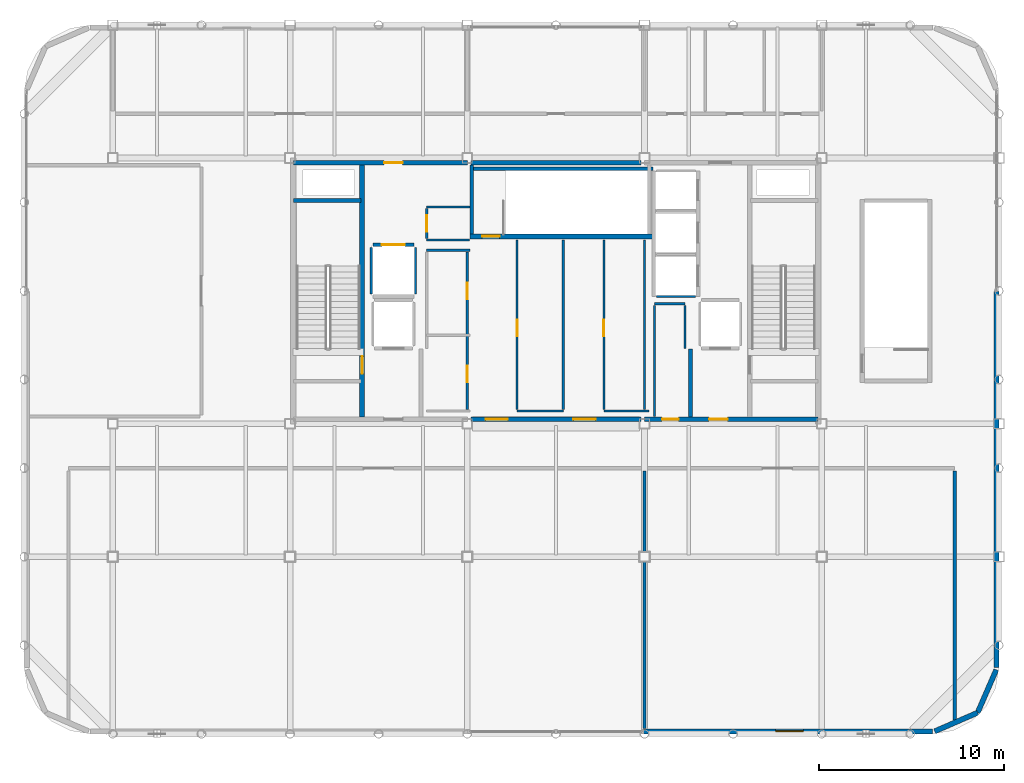
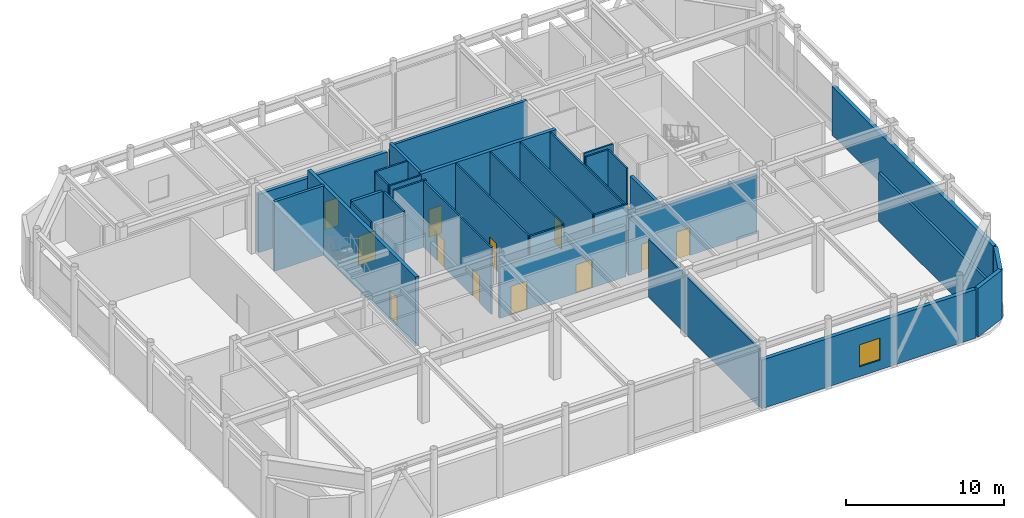
# One storey, part 17 of 21: 34 walls, 13 doors, 1 window, 14 openings.
"""IFC4 building model written with IfcOpenShell, lengths in metres."""

from ifc_helpers import new_model, si_unit, direction, frame, frame_2d, origin, place, context, subcontext, project, spatial, rectangle, extrude, material, layer, layer_set, type_object, element, fill, save


model = new_model("IFC4")

# Units and contexts
model_context = context("Model", 3, precision=1e-05, world=origin(), true_north=direction((0.0, 1.0)))
body_context = subcontext(model_context, "Body", "Model", "MODEL_VIEW")
ifc_project = project(units=[si_unit("LENGTHUNIT", "METRE"), si_unit("AREAUNIT", "SQUARE_METRE"), si_unit("VOLUMEUNIT", "CUBIC_METRE"), si_unit("PLANEANGLEUNIT", "RADIAN"), si_unit("MASSUNIT", "GRAM", prefix="KILO")], contexts=[model_context])

# Site, building, storey
site_placement = place(None, origin())
site = spatial("IfcSite", under=ifc_project, at=site_placement, CompositionType="ELEMENT")
building_placement = place(site_placement, origin())
building = spatial("IfcBuilding", under=site, at=building_placement, Name="Kallvorn Hotel Tower", CompositionType="ELEMENT")
storey_placement = place(building_placement, frame((0.0, 0.0, 300.60009765625)))
storey = spatial("IfcBuildingStorey", under=building, at=storey_placement, Name="L74", CompositionType="ELEMENT", Elevation=300.60009765625)

# Walls
ifc_material_1 = material(Name="Fire-rated double-layer acoustic gypsum drywall EI 60")
ifc_layer_1 = layer(ifc_material_1, 0.179931640625)
ifc_layer_set_1 = layer_set([ifc_layer_1], Name="WL_CORR_180")
wall_type_1 = type_object("IfcWallType", Name="WL_CORR_180", PredefinedType="PARTITIONING", material=ifc_layer_set_1)
wall_1_placement = place(storey_placement, frame((4.800048828125, -23.7099609375, 0.0), z_axis=(0.0, 0.0, 1.0), x_axis=(0.0, 1.0, 0.0)))
element("IfcWall", 1, at=wall_1_placement, inside=storey, type_object=wall_type_1, Name="L74 Bogota Heritage Exhibition Hall Partition", PredefinedType="PARTITIONING", context=body_context, shape_type="SweptSolid", body=[
    extrude(rectangle(XDim=13.9599609375, YDim=0.179931640625, at=frame_2d((6.97998046875, 0.0))), origin(), (0.0, 0.0, 1.0), 4.510009765625),
])
wall_2_placement = place(storey_placement, frame((21.60009765625, -23.238525390625, 0.0), z_axis=(0.0, 0.0, 1.0), x_axis=(0.0, 1.0, 0.0)))
element("IfcWall", 2, at=wall_2_placement, inside=storey, type_object=wall_type_1, Name="L74 Bogota Heritage Exhibition Hall Partition", PredefinedType="PARTITIONING", context=body_context, shape_type="SweptSolid", body=[
    extrude(rectangle(XDim=13.488525390625, YDim=0.179931640625, at=frame_2d((6.744140625, 0.0))), origin(), (0.0, 0.0, 1.0), 3.760009765625),
])
ifc_material_2 = material(Name="Precast basalt-clad insulated concrete wall C40/50", Category="masonry")
ifc_layer_2 = layer(ifc_material_2, 0.280029296875)
ifc_layer_set_2 = layer_set([ifc_layer_2], Name="WL_EXT_LOGGIA_280")
wall_type_2 = type_object("IfcWallType", Name="WL_EXT_LOGGIA_280", PredefinedType="SOLIDWALL", material=ifc_layer_set_2)
for number, where, z_axis, x_axis, name in (
    (3, (20.520751953125, -23.85791015625, 0.0), (0.0, 0.0, 1.0), (0.917076177656, 0.398712031894, 0.0), "L74 Rounded Corner Exterior Wall SE1"),
    (4, (22.8466796875, -22.8466796875, 0.0), (0.0, 0.0, 1.0), (0.398712031894, 0.917076177656, 0.0), "L74 Rounded Corner Exterior Wall SE2"),
):
    element("IfcWall", number, at=place(storey_placement, frame(where, z_axis=z_axis, x_axis=x_axis)), inside=storey, type_object=wall_type_2, Name=name, PredefinedType="SOLIDWALL", context=body_context, shape_type="SweptSolid", body=[
        extrude(rectangle(XDim=2.5361328125, YDim=0.280029296875, at=frame_2d((1.26806640625, 0.0))), origin(), (0.0, 0.0, 1.0), 3.760009765625),
    ])

# Wall, opening, window
wall_3_placement = place(storey_placement, frame((4.75, -23.860107421875, 0.0), z_axis=(0.0, 0.0, 1.0), x_axis=(1.0, 0.0, 0.0)))
wall_3 = element("IfcWall", 5, at=wall_3_placement, inside=storey, type_object=wall_type_2, Name="L74 Exterior Envelope Wall EW-L74-SE", PredefinedType="SOLIDWALL", context=body_context, shape_type="SweptSolid", body=[
    extrude(rectangle(XDim=15.64990234375, YDim=0.280029296875, at=frame_2d((7.824951171875, 0.0))), origin(), (0.0, 0.0, 1.0), 3.760009765625),
])
opening_1_placement = place(wall_3_placement, frame((7.159912109375, 0.0, 0.75)))
opening_1 = element("IfcOpeningElement", 6, at=opening_1_placement, cuts=wall_3, Name="Opening W05", PredefinedType="OPENING", context=body_context, shape_type="SweptSolid", body=[
    extrude(rectangle(XDim=1.5, YDim=1.699951171875, at=frame_2d((0.75, 0.85009765625))), frame((0.0, 0.155029296875, 0.0), z_axis=(0.0, -1.0, 0.0), x_axis=(1.0, 0.0, 0.0)), (0.0, 0.0, 1.0), 0.31005859375),
])
ifc_material_3 = material(Name="Double-glazed low-e solar-control dark glass", Category="glass")
window_type = type_object("IfcWindowType", Name="WN_HTL_1500x1700", PartitioningType="SINGLE_PANEL", PredefinedType="WINDOW", material=ifc_material_3)
window_placement = place(opening_1_placement, origin())
window = element("IfcWindow", 7, at=window_placement, inside=storey, type_object=window_type, Name="L74 Guestroom Exterior Window 01", OverallHeight=1.699951171875, OverallWidth=1.5, PartitioningType="SINGLE_PANEL", PredefinedType="WINDOW", context=body_context, shape_type="SweptSolid", body=[
    extrude(rectangle(XDim=1.5, YDim=1.699951171875, at=frame_2d((0.75, 0.85009765625))), frame((0.0, 0.030029296875, 0.0), z_axis=(0.0, -1.0, 0.0), x_axis=(1.0, 0.0, 0.0)), (0.0, 0.0, 1.0), 0.06005859375),
])
fill(opening_1, window)

# Walls
wall_4_placement = place(storey_placement, frame((23.860107421875, -20.39990234375, 0.0), z_axis=(0.0, 0.0, 1.0), x_axis=(0.0, 1.0, 0.0)))
element("IfcWall", 8, at=wall_4_placement, inside=storey, type_object=wall_type_2, Name="L74 Exterior Envelope Wall EW-L74-ES", PredefinedType="SOLIDWALL", context=body_context, shape_type="SweptSolid", body=[
    extrude(rectangle(XDim=20.3798828125, YDim=0.280029296875, at=frame_2d((10.18994140625, 0.0))), origin(), (0.0, 0.0, 1.0), 3.760009765625),
])
ifc_material_4 = material(Name="Concrete C40/50", Category="concrete")
ifc_layer_3 = layer(ifc_material_4, 0.219970703125)
ifc_layer_set_3 = layer_set([ifc_layer_3], Name="WL_FFL_220")
wall_type_3 = type_object("IfcWallType", Name="WL_FFL_220", PredefinedType="SOLIDWALL", material=ifc_layer_set_3)
wall_5_placement = place(storey_placement, frame((7.300048828125, -6.820068359375, 0.0), z_axis=(0.0, 0.0, 1.0), x_axis=(0.0, 1.0, 0.0)))
element("IfcWall", 9, at=wall_5_placement, inside=storey, type_object=wall_type_3, Name="L74 Firefighting Lobby East Divider Wall", PredefinedType="SOLIDWALL", context=body_context, shape_type="SweptSolid", body=[
    extrude(rectangle(XDim=3.670166015625, YDim=0.219970703125, at=frame_2d((1.8349609375, 0.0))), origin(), (0.0, 0.0, 1.0), 4.510009765625),
])
ifc_material_5 = material(Name="Concrete C40/50", Category="concrete")
ifc_layer_4 = layer(ifc_material_5, 0.199951171875)
ifc_layer_set_4 = layer_set([ifc_layer_4], Name="WL_HOIST_200")
wall_type_4 = type_object("IfcWallType", Name="WL_HOIST_200", PredefinedType="SOLIDWALL", material=ifc_layer_set_4)
wall_6_placement = place(storey_placement, frame((-14.199951171875, 4.89990234375, -0.2001953125), z_axis=(0.0, 0.0, 1.0), x_axis=(1.0, 0.0, 0.0)))
element("IfcWall", 10, at=wall_6_placement, inside=storey, type_object=wall_type_4, Name="L74 Stair ST1 North Wall", PredefinedType="SOLIDWALL", context=body_context, shape_type="SweptSolid", body=[
    extrude(rectangle(XDim=3.64990234375, YDim=0.199951171875, at=frame_2d((1.824951171875, 0.0))), origin(), (0.0, 0.0, 1.0), 5.360107421875),
])
wall_7_placement = place(storey_placement, frame((-4.64990234375, 6.610107421875, -0.2001953125), z_axis=(0.0, 0.0, 1.0), x_axis=(1.0, 0.0, 0.0)))
element("IfcWall", 11, at=wall_7_placement, inside=storey, type_object=wall_type_4, Name="L74 Stair ST3 Shaft North Wall", PredefinedType="SOLIDWALL", context=body_context, shape_type="SweptSolid", body=[
    extrude(rectangle(XDim=9.89990234375, YDim=0.199951171875, at=frame_2d((4.949951171875, 0.0))), origin(), (0.0, 0.0, 1.0), 5.360107421875),
])
wall_8_placement = place(storey_placement, frame((-4.550048828125, 3.080078125, -0.2001953125), z_axis=(0.0, 0.0, 1.0), x_axis=(0.0, 1.0, 0.0)))
element("IfcWall", 12, at=wall_8_placement, inside=storey, type_object=wall_type_4, Name="L74 Stair ST3 West Wall", PredefinedType="SOLIDWALL", context=body_context, shape_type="SweptSolid", body=[
    extrude(rectangle(XDim=3.739990234375, YDim=0.199951171875, at=frame_2d((1.8701171875, 0.0))), origin(), (0.0, 0.0, 1.0), 5.360107421875),
])

# Wall, opening, door
wall_9_placement = place(storey_placement, frame((-9.919921875, 2.5, 0.0), z_axis=(0.0, 0.0, 1.0), x_axis=(1.0, 0.0, 0.0)))
wall_9 = element("IfcWall", 13, at=wall_9_placement, inside=storey, type_object=wall_type_4, Name="L74 SV-01 Landing Wall", PredefinedType="SOLIDWALL", context=body_context, shape_type="SweptSolid", body=[
    extrude(rectangle(XDim=2.239990234375, YDim=0.199951171875, at=frame_2d((1.1201171875, 0.0))), origin(), (0.0, 0.0, 1.0), 5.159912109375),
])
opening_2_placement = place(wall_9_placement, frame((0.4951171875, 0.0, 0.0)))
opening_2 = element("IfcOpeningElement", 14, at=opening_2_placement, cuts=wall_9, Name="Opening LD-SV-01", PredefinedType="OPENING", context=body_context, shape_type="SweptSolid", body=[
    extrude(rectangle(XDim=1.25, YDim=2.25, at=frame_2d((0.625, 1.125))), frame((0.0, 0.114990234375, 0.0), z_axis=(0.0, -1.0, 0.0), x_axis=(1.0, 0.0, 0.0)), (0.0, 0.0, 1.0), 0.22998046875),
])
ifc_material_6 = material(Name="Brushed stainless-steel automatic sliding lift landing door", Category="steel")
door_type_1 = type_object("IfcDoorType", Name="LD_SERV_1250x2250", OperationType="SLIDING_TO_LEFT", PredefinedType="DOOR", material=ifc_material_6)
door_1_placement = place(opening_2_placement, origin())
door_1 = element("IfcDoor", 15, at=door_1_placement, inside=storey, type_object=door_type_1, Name="L74 Lift Landing Sliding Door LD-SV-01", OperationType="SLIDING_TO_LEFT", OverallHeight=2.25, OverallWidth=1.25, PredefinedType="DOOR", context=body_context, shape_type="SweptSolid", body=[
    extrude(rectangle(XDim=1.25, YDim=2.25, at=frame_2d((0.625, 1.125))), frame((0.0, 0.02490234375, 0.0), z_axis=(0.0, -1.0, 0.0), x_axis=(1.0, 0.0, 0.0)), (0.0, 0.0, 1.0), 0.050048828125),
])
fill(opening_2, door_1)

# Walls
ifc_material_7 = material(Name="Fire-rated double-layer acoustic gypsum drywall EI 60")
ifc_layer_5 = layer(ifc_material_7, 0.1201171875)
ifc_layer_set_5 = layer_set([ifc_layer_5], Name="WL_INT_120")
wall_type_5 = type_object("IfcWallType", Name="WL_INT_120", PredefinedType="PARTITIONING", material=ifc_layer_set_5)
wall_10_placement = place(storey_placement, frame((5.43994140625, -0.300048828125, 0.0), z_axis=(0.0, 0.0, 1.0), x_axis=(1.0, 0.0, 0.0)))
element("IfcWall", 16, at=wall_10_placement, inside=storey, type_object=wall_type_5, Name="L74 Lift Bank OBS South Closure Wall", PredefinedType="PARTITIONING", context=body_context, shape_type="SweptSolid", body=[
    extrude(rectangle(XDim=2.1201171875, YDim=0.1201171875, at=frame_2d((1.06005859375, 0.0))), origin(), (0.0, 0.0, 1.0), 5.159912109375),
])
for number, where, z_axis, x_axis, name in (
    (17, (-10.0, -0.159912109375, 0.0), (0.0, 0.0, 1.0), (0.0, 1.0, 0.0), "L74 SV-01 West Shaft Wall"),
    (18, (-7.60009765625, -0.159912109375, 0.0), (0.0, 0.0, 1.0), (0.0, 1.0, 0.0), "L74 SV-01 East Shaft Wall"),
):
    element("IfcWall", number, at=place(storey_placement, frame(where, z_axis=z_axis, x_axis=x_axis)), inside=storey, type_object=wall_type_5, Name=name, PredefinedType="PARTITIONING", context=body_context, shape_type="SweptSolid", body=[
        extrude(rectangle(XDim=2.52001953125, YDim=0.1201171875, at=frame_2d((1.260009765625, 0.0))), origin(), (0.0, 0.0, 1.0), 5.159912109375),
    ])
wall_11_placement = place(storey_placement, frame((-2.10009765625, -6.5, 0.0), z_axis=(0.0, 0.0, 1.0), x_axis=(1.0, 0.0, 0.0)))
element("IfcWall", 19, at=wall_11_placement, inside=storey, type_object=wall_type_5, Name="L74 Altitude Executive Pantry and Ice Room Partition", PredefinedType="PARTITIONING", context=body_context, shape_type="SweptSolid", body=[
    extrude(rectangle(XDim=2.5, YDim=0.1201171875, at=frame_2d((1.25, 0.0))), origin(), (0.0, 0.0, 1.0), 5.159912109375),
])
wall_12_placement = place(storey_placement, frame((2.60009765625, -6.5, 0.0), z_axis=(0.0, 0.0, 1.0), x_axis=(1.0, 0.0, 0.0)))
element("IfcWall", 20, at=wall_12_placement, inside=storey, type_object=wall_type_5, Name="L74 East Core Consolidated Linen and Supply Store Partition", PredefinedType="PARTITIONING", context=body_context, shape_type="SweptSolid", body=[
    extrude(rectangle(XDim=2.449951171875, YDim=0.1201171875, at=frame_2d((1.22509765625, 0.0))), origin(), (0.0, 0.0, 1.0), 5.159912109375),
])
wall_13_placement = place(storey_placement, frame((5.35009765625, -0.699951171875, 0.0), z_axis=(0.0, 0.0, 1.0), x_axis=(1.0, 0.0, 0.0)))
element("IfcWall", 21, at=wall_13_placement, inside=storey, type_object=wall_type_5, Name="L74 Core Utility and Meter Room Partition", PredefinedType="PARTITIONING", context=body_context, shape_type="SweptSolid", body=[
    extrude(rectangle(XDim=1.64990234375, YDim=0.1201171875, at=frame_2d((0.824951171875, 0.0))), origin(), (0.0, 0.0, 1.0), 5.159912109375),
])
wall_14_placement = place(storey_placement, frame((-7.0, 2.199951171875, 0.0), z_axis=(0.0, 0.0, 1.0), x_axis=(1.0, 0.0, 0.0)))
element("IfcWall", 22, at=wall_14_placement, inside=storey, type_object=wall_type_5, Name="L74 Recaptured Central Linen Store Partition", PredefinedType="PARTITIONING", context=body_context, shape_type="SweptSolid", body=[
    extrude(rectangle(XDim=2.35009765625, YDim=0.1201171875, at=frame_2d((1.175048828125, 0.0))), origin(), (0.0, 0.0, 1.0), 5.159912109375),
])
wall_15_placement = place(storey_placement, frame((-7.0, 2.75, 0.0), z_axis=(0.0, 0.0, 1.0), x_axis=(1.0, 0.0, 0.0)))
element("IfcWall", 23, at=wall_15_placement, inside=storey, type_object=wall_type_5, Name="L74 Recaptured North Valet Closet Partition", PredefinedType="PARTITIONING", context=body_context, shape_type="SweptSolid", body=[
    extrude(rectangle(XDim=2.31005859375, YDim=0.1201171875, at=frame_2d((1.155029296875, 0.0))), origin(), (0.0, 0.0, 1.0), 5.159912109375),
])
wall_16_placement = place(storey_placement, frame((-7.0, 4.550048828125, 0.0), z_axis=(0.0, 0.0, 1.0), x_axis=(1.0, 0.0, 0.0)))
element("IfcWall", 24, at=wall_16_placement, inside=storey, type_object=wall_type_5, Name="L74 Recaptured North Valet Closet Partition", PredefinedType="PARTITIONING", context=body_context, shape_type="SweptSolid", body=[
    extrude(rectangle(XDim=2.35009765625, YDim=0.1201171875, at=frame_2d((1.175048828125, 0.0))), origin(), (0.0, 0.0, 1.0), 5.159912109375),
])

# Wall, opening, door
wall_17_placement = place(storey_placement, frame((-7.0, 2.8349609375, 0.0), z_axis=(0.0, 0.0, 1.0), x_axis=(0.0, 1.0, 0.0)))
wall_17 = element("IfcWall", 25, at=wall_17_placement, inside=storey, type_object=wall_type_5, Name="L74 Recaptured North Valet Closet Partition", PredefinedType="PARTITIONING", context=body_context, shape_type="SweptSolid", body=[
    extrude(rectangle(XDim=1.630126953125, YDim=0.1201171875, at=frame_2d((0.81494140625, 0.0))), origin(), (0.0, 0.0, 1.0), 5.159912109375),
])
opening_3_placement = place(wall_17_placement, frame((0.364990234375, 0.0, 0.0)))
opening_3 = element("IfcOpeningElement", 26, at=opening_3_placement, cuts=wall_17, Name="Opening SVD1", PredefinedType="OPENING", context=body_context, shape_type="SweptSolid", body=[
    extrude(rectangle(XDim=0.89990234375, YDim=2.10009765625, at=frame_2d((0.449951171875, 1.050048828125))), frame((0.0, 0.074951171875, 0.0), z_axis=(0.0, -1.0, 0.0), x_axis=(1.0, 0.0, 0.0)), (0.0, 0.0, 1.0), 0.150146484375),
])
ifc_material_8 = material(Name="Galvanised painted steel fire-rated door assembly", Category="steel")
door_type_2 = type_object("IfcDoorType", Name="DR_SERV_900x2100", OperationType="NOTDEFINED", PredefinedType="DOOR", material=ifc_material_8)
door_2_placement = place(opening_3_placement, origin())
door_2 = element("IfcDoor", 27, at=door_2_placement, inside=storey, type_object=door_type_2, Name="L74 Recaptured North Valet Closet Door", OperationType="SINGLE_SWING_RIGHT", OverallHeight=2.10009765625, OverallWidth=0.89990234375, PredefinedType="DOOR", context=body_context, shape_type="SweptSolid", body=[
    extrude(rectangle(XDim=0.89990234375, YDim=2.10009765625, at=frame_2d((0.449951171875, 1.050048828125))), frame((0.0, 0.02490234375, 0.0), z_axis=(0.0, -1.0, 0.0), x_axis=(1.0, 0.0, 0.0)), (0.0, 0.0, 1.0), 0.050048828125),
])
fill(opening_3, door_2)

# Wall, openings, doors
wall_18_placement = place(storey_placement, frame((-4.800048828125, -6.4150390625, 0.0), z_axis=(0.0, 0.0, 1.0), x_axis=(0.0, 1.0, 0.0)))
wall_18 = element("IfcWall", 28, at=wall_18_placement, inside=storey, type_object=wall_type_5, Name="L74 Recaptured South Minibar Pantry Partition", PredefinedType="PARTITIONING", context=body_context, shape_type="SweptSolid", body=[
    extrude(rectangle(XDim=8.530029296875, YDim=0.1201171875, at=frame_2d((4.26513671875, 0.0))), origin(), (0.0, 0.0, 1.0), 5.159912109375),
])
opening_4_placement = place(wall_18_placement, frame((1.465087890625, 0.0, 0.0)))
opening_4 = element("IfcOpeningElement", 29, at=opening_4_placement, cuts=wall_18, Name="Opening SVD1", PredefinedType="OPENING", context=body_context, shape_type="SweptSolid", body=[
    extrude(rectangle(XDim=0.89990234375, YDim=2.10009765625, at=frame_2d((0.449951171875, 1.050048828125))), frame((0.0, 0.074951171875, 0.0), z_axis=(0.0, -1.0, 0.0), x_axis=(1.0, 0.0, 0.0)), (0.0, 0.0, 1.0), 0.150146484375),
])
opening_5_placement = place(wall_18_placement, frame((5.965087890625, 0.0, 0.0)))
opening_5 = element("IfcOpeningElement", 30, at=opening_5_placement, cuts=wall_18, Name="Opening SVD1", PredefinedType="OPENING", context=body_context, shape_type="SweptSolid", body=[
    extrude(rectangle(XDim=0.89990234375, YDim=2.10009765625, at=frame_2d((0.449951171875, 1.050048828125))), frame((0.0, 0.074951171875, 0.0), z_axis=(0.0, -1.0, 0.0), x_axis=(1.0, 0.0, 0.0)), (0.0, 0.0, 1.0), 0.150146484375),
])
door_3_placement = place(opening_4_placement, origin())
door_3 = element("IfcDoor", 31, at=door_3_placement, inside=storey, type_object=door_type_2, Name="L74 Recaptured South Minibar Pantry Door", OperationType="SINGLE_SWING_LEFT", OverallHeight=2.10009765625, OverallWidth=0.89990234375, PredefinedType="DOOR", context=body_context, shape_type="SweptSolid", body=[
    extrude(rectangle(XDim=0.89990234375, YDim=2.10009765625, at=frame_2d((0.449951171875, 1.050048828125))), frame((0.0, 0.02490234375, 0.0), z_axis=(0.0, -1.0, 0.0), x_axis=(1.0, 0.0, 0.0)), (0.0, 0.0, 1.0), 0.050048828125),
])
fill(opening_4, door_3)
door_4_placement = place(opening_5_placement, origin())
door_4 = element("IfcDoor", 32, at=door_4_placement, inside=storey, type_object=door_type_2, Name="L74 Recaptured Central Linen Store Door", OperationType="SINGLE_SWING_RIGHT", OverallHeight=2.10009765625, OverallWidth=0.89990234375, PredefinedType="DOOR", context=body_context, shape_type="SweptSolid", body=[
    extrude(rectangle(XDim=0.89990234375, YDim=2.10009765625, at=frame_2d((0.449951171875, 1.050048828125))), frame((0.0, 0.02490234375, 0.0), z_axis=(0.0, -1.0, 0.0), x_axis=(1.0, 0.0, 0.0)), (0.0, 0.0, 1.0), 0.050048828125),
])
fill(opening_5, door_4)

# Wall, opening, door
wall_19_placement = place(storey_placement, frame((-2.10009765625, -6.4150390625, 0.0), z_axis=(0.0, 0.0, 1.0), x_axis=(0.0, 1.0, 0.0)))
wall_19 = element("IfcWall", 33, at=wall_19_placement, inside=storey, type_object=wall_type_5, Name="L74 Altitude Executive Pantry and Ice Room Partition", PredefinedType="PARTITIONING", context=body_context, shape_type="SweptSolid", body=[
    extrude(rectangle(XDim=9.1650390625, YDim=0.1201171875, at=frame_2d((4.58251953125, 0.0))), origin(), (0.0, 0.0, 1.0), 5.159912109375),
])
opening_6_placement = place(wall_19_placement, frame((3.965087890625, 0.0, 0.0)))
opening_6 = element("IfcOpeningElement", 34, at=opening_6_placement, cuts=wall_19, Name="Opening SVD1", PredefinedType="OPENING", context=body_context, shape_type="SweptSolid", body=[
    extrude(rectangle(XDim=0.89990234375, YDim=2.10009765625, at=frame_2d((0.449951171875, 1.050048828125))), frame((0.0, 0.074951171875, 0.0), z_axis=(0.0, -1.0, 0.0), x_axis=(1.0, 0.0, 0.0)), (0.0, 0.0, 1.0), 0.150146484375),
])
door_5_placement = place(opening_6_placement, origin())
door_5 = element("IfcDoor", 35, at=door_5_placement, inside=storey, type_object=door_type_2, Name="L74 Altitude Executive Pantry and Ice Room Door", OperationType="SINGLE_SWING_LEFT", OverallHeight=2.10009765625, OverallWidth=0.89990234375, PredefinedType="DOOR", context=body_context, shape_type="SweptSolid", body=[
    extrude(rectangle(XDim=0.89990234375, YDim=2.10009765625, at=frame_2d((0.449951171875, 1.050048828125))), frame((0.0, 0.02490234375, 0.0), z_axis=(0.0, -1.0, 0.0), x_axis=(1.0, 0.0, 0.0)), (0.0, 0.0, 1.0), 0.050048828125),
])
fill(opening_6, door_5)

# Wall
wall_20_placement = place(storey_placement, frame((0.39990234375, -6.4150390625, 0.0), z_axis=(0.0, 0.0, 1.0), x_axis=(0.0, 1.0, 0.0)))
element("IfcWall", 36, at=wall_20_placement, inside=storey, type_object=wall_type_5, Name="L74 Altitude Executive Pantry and Ice Room Partition", PredefinedType="PARTITIONING", context=body_context, shape_type="SweptSolid", body=[
    extrude(rectangle(XDim=9.1650390625, YDim=0.1201171875, at=frame_2d((4.58251953125, 0.0))), origin(), (0.0, 0.0, 1.0), 5.159912109375),
])

# Wall, opening, door
wall_21_placement = place(storey_placement, frame((2.60009765625, -6.4150390625, 0.0), z_axis=(0.0, 0.0, 1.0), x_axis=(0.0, 1.0, 0.0)))
wall_21 = element("IfcWall", 37, at=wall_21_placement, inside=storey, type_object=wall_type_5, Name="L74 East Core Consolidated Linen and Supply Store Partition", PredefinedType="PARTITIONING", context=body_context, shape_type="SweptSolid", body=[
    extrude(rectangle(XDim=9.1650390625, YDim=0.1201171875, at=frame_2d((4.58251953125, 0.0))), origin(), (0.0, 0.0, 1.0), 5.159912109375),
])
opening_7_placement = place(wall_21_placement, frame((3.965087890625, 0.0, 0.0)))
opening_7 = element("IfcOpeningElement", 38, at=opening_7_placement, cuts=wall_21, Name="Opening SVD1", PredefinedType="OPENING", context=body_context, shape_type="SweptSolid", body=[
    extrude(rectangle(XDim=0.89990234375, YDim=2.10009765625, at=frame_2d((0.449951171875, 1.050048828125))), frame((0.0, 0.074951171875, 0.0), z_axis=(0.0, -1.0, 0.0), x_axis=(1.0, 0.0, 0.0)), (0.0, 0.0, 1.0), 0.150146484375),
])
door_6_placement = place(opening_7_placement, origin())
door_6 = element("IfcDoor", 39, at=door_6_placement, inside=storey, type_object=door_type_2, Name="L74 East Core Consolidated Linen and Supply Store Door", OperationType="SINGLE_SWING_LEFT", OverallHeight=2.10009765625, OverallWidth=0.89990234375, PredefinedType="DOOR", context=body_context, shape_type="SweptSolid", body=[
    extrude(rectangle(XDim=0.89990234375, YDim=2.10009765625, at=frame_2d((0.449951171875, 1.050048828125))), frame((0.0, 0.02490234375, 0.0), z_axis=(0.0, -1.0, 0.0), x_axis=(1.0, 0.0, 0.0)), (0.0, 0.0, 1.0), 0.050048828125),
])
fill(opening_7, door_6)

# Walls
wall_22_placement = place(storey_placement, frame((4.800048828125, -6.4150390625, 0.0), z_axis=(0.0, 0.0, 1.0), x_axis=(0.0, 1.0, 0.0)))
element("IfcWall", 40, at=wall_22_placement, inside=storey, type_object=wall_type_5, Name="L74 East Core Consolidated Linen and Supply Store Partition", PredefinedType="PARTITIONING", context=body_context, shape_type="SweptSolid", body=[
    extrude(rectangle(XDim=9.1650390625, YDim=0.1201171875, at=frame_2d((4.58251953125, 0.0))), origin(), (0.0, 0.0, 1.0), 5.159912109375),
])
wall_23_placement = place(storey_placement, frame((5.35009765625, -6.800048828125, 0.0), z_axis=(0.0, 0.0, 1.0), x_axis=(0.0, 1.0, 0.0)))
element("IfcWall", 41, at=wall_23_placement, inside=storey, type_object=wall_type_5, Name="L74 Core Utility and Meter Room Partition", PredefinedType="PARTITIONING", context=body_context, shape_type="SweptSolid", body=[
    extrude(rectangle(XDim=6.01513671875, YDim=0.1201171875, at=frame_2d((3.007568359375, 0.0))), origin(), (0.0, 0.0, 1.0), 4.510009765625),
])
wall_24_placement = place(storey_placement, frame((7.0, -3.110107421875, 0.0), z_axis=(0.0, 0.0, 1.0), x_axis=(0.0, 1.0, 0.0)))
element("IfcWall", 42, at=wall_24_placement, inside=storey, type_object=wall_type_5, Name="L74 Core Utility and Meter Room Partition", PredefinedType="PARTITIONING", context=body_context, shape_type="SweptSolid", body=[
    extrude(rectangle(XDim=2.3251953125, YDim=0.1201171875, at=frame_2d((1.16259765625, 0.0))), origin(), (0.0, 0.0, 1.0), 5.159912109375),
])

# Wall, openings, doors
ifc_material_9 = material(Name="Concrete C40/50", Category="concrete")
ifc_layer_6 = layer(ifc_material_9, 0.25)
ifc_layer_set_6 = layer_set([ifc_layer_6], Name="WL_SHAFT_250")
wall_type_6 = type_object("IfcWallType", Name="WL_SHAFT_250", PredefinedType="SOLIDWALL", material=ifc_layer_set_6)
wall_25_placement = place(storey_placement, frame((-4.60009765625, -6.949951171875, 0.0), z_axis=(0.0, 0.0, 1.0), x_axis=(1.0, 0.0, 0.0)))
wall_25 = element("IfcWall", 43, at=wall_25_placement, inside=storey, type_object=wall_type_6, Name="L74 Core South-Central Wall", PredefinedType="SOLIDWALL", context=body_context, shape_type="SweptSolid", body=[
    extrude(rectangle(XDim=9.2001953125, YDim=0.25, at=frame_2d((4.60009765625, 0.0))), origin(), (0.0, 0.0, 1.0), 3.9599609375),
])
opening_8_placement = place(wall_25_placement, frame((0.800048828125, 0.0, 0.0)))
opening_8 = element("IfcOpeningElement", 44, at=opening_8_placement, cuts=wall_25, Name="Opening FD2", PredefinedType="OPENING", context=body_context, shape_type="SweptSolid", body=[
    extrude(rectangle(XDim=1.199951171875, YDim=2.199951171875, at=frame_2d((0.60009765625, 1.10009765625))), frame((0.0, 0.139892578125, 0.0), z_axis=(0.0, -1.0, 0.0), x_axis=(1.0, 0.0, 0.0)), (0.0, 0.0, 1.0), 0.280029296875),
])
opening_9_placement = place(wall_25_placement, frame((5.550048828125, 0.0, 0.0)))
opening_9 = element("IfcOpeningElement", 45, at=opening_9_placement, cuts=wall_25, Name="Opening FD2", PredefinedType="OPENING", context=body_context, shape_type="SweptSolid", body=[
    extrude(rectangle(XDim=1.199951171875, YDim=2.199951171875, at=frame_2d((0.60009765625, 1.10009765625))), frame((0.0, 0.139892578125, 0.0), z_axis=(0.0, -1.0, 0.0), x_axis=(1.0, 0.0, 0.0)), (0.0, 0.0, 1.0), 0.280029296875),
])
ifc_material_10 = material(Name="Galvanised painted steel fire-rated door assembly", Category="steel")
door_type_3 = type_object("IfcDoorType", Name="DR_LOBBY_1200x2200", OperationType="DOUBLE_DOOR_SINGLE_SWING", PredefinedType="DOOR", material=ifc_material_10)
door_7_placement = place(opening_8_placement, origin())
door_7 = element("IfcDoor", 46, at=door_7_placement, inside=storey, type_object=door_type_3, Name="L74 West Passenger Lift Lobby Door", OperationType="DOUBLE_DOOR_SINGLE_SWING", OverallHeight=2.199951171875, OverallWidth=1.199951171875, PredefinedType="DOOR", context=body_context, shape_type="SweptSolid", body=[
    extrude(rectangle(XDim=1.199951171875, YDim=2.199951171875, at=frame_2d((0.60009765625, 1.10009765625))), frame((0.0, 0.02490234375, 0.0), z_axis=(0.0, -1.0, 0.0), x_axis=(1.0, 0.0, 0.0)), (0.0, 0.0, 1.0), 0.050048828125),
])
fill(opening_8, door_7)
door_8_placement = place(opening_9_placement, origin())
door_8 = element("IfcDoor", 47, at=door_8_placement, inside=storey, type_object=door_type_3, Name="L74 East Passenger Lift Lobby Door", OperationType="DOUBLE_DOOR_SINGLE_SWING", OverallHeight=2.199951171875, OverallWidth=1.199951171875, PredefinedType="DOOR", context=body_context, shape_type="SweptSolid", body=[
    extrude(rectangle(XDim=1.199951171875, YDim=2.199951171875, at=frame_2d((0.60009765625, 1.10009765625))), frame((0.0, 0.02490234375, 0.0), z_axis=(0.0, -1.0, 0.0), x_axis=(1.0, 0.0, 0.0)), (0.0, 0.0, 1.0), 0.050048828125),
])
fill(opening_9, door_8)

wall_26_placement = place(storey_placement, frame((4.800048828125, -6.949951171875, 0.0), z_axis=(0.0, 0.0, 1.0), x_axis=(1.0, 0.0, 0.0)))
wall_26 = element("IfcWall", 48, at=wall_26_placement, inside=storey, type_object=wall_type_6, Name="L74 Core South-East Wall", PredefinedType="SOLIDWALL", context=body_context, shape_type="SweptSolid", body=[
    extrude(rectangle(XDim=9.39990234375, YDim=0.25, at=frame_2d((4.699951171875, 0.0))), origin(), (0.0, 0.0, 1.0), 4.510009765625),
])
opening_10_placement = place(wall_26_placement, frame((3.5, 0.0, 0.0)))
opening_10 = element("IfcOpeningElement", 49, at=opening_10_placement, cuts=wall_26, Name="Opening FD1", PredefinedType="OPENING", context=body_context, shape_type="SweptSolid", body=[
    extrude(rectangle(XDim=1.0, YDim=2.14990234375, at=frame_2d((0.5, 1.074951171875))), frame((0.0, 0.139892578125, 0.0), z_axis=(0.0, -1.0, 0.0), x_axis=(1.0, 0.0, 0.0)), (0.0, 0.0, 1.0), 0.280029296875),
])
opening_11_placement = place(wall_26_placement, frame((0.949951171875, 0.0, 0.0)))
opening_11 = element("IfcOpeningElement", 50, at=opening_11_placement, cuts=wall_26, Name="Opening SVD1", PredefinedType="OPENING", context=body_context, shape_type="SweptSolid", body=[
    extrude(rectangle(XDim=0.89990234375, YDim=2.10009765625, at=frame_2d((0.449951171875, 1.050048828125))), frame((0.0, 0.139892578125, 0.0), z_axis=(0.0, -1.0, 0.0), x_axis=(1.0, 0.0, 0.0)), (0.0, 0.0, 1.0), 0.280029296875),
])
ifc_material_11 = material(Name="Galvanised painted steel fire-rated door assembly", Category="steel")
door_type_4 = type_object("IfcDoorType", Name="DR_FFL_1000x2150", OperationType="NOTDEFINED", PredefinedType="DOOR", material=ifc_material_11)
door_9_placement = place(opening_10_placement, origin())
door_9 = element("IfcDoor", 51, at=door_9_placement, inside=storey, type_object=door_type_4, Name="L74 Firefighting Lobby East Door", OperationType="SINGLE_SWING_LEFT", OverallHeight=2.14990234375, OverallWidth=1.0, PredefinedType="DOOR", context=body_context, shape_type="SweptSolid", body=[
    extrude(rectangle(XDim=1.0, YDim=2.14990234375, at=frame_2d((0.5, 1.074951171875))), frame((0.0, 0.02490234375, 0.0), z_axis=(0.0, -1.0, 0.0), x_axis=(1.0, 0.0, 0.0)), (0.0, 0.0, 1.0), 0.050048828125),
])
fill(opening_10, door_9)
door_10_placement = place(opening_11_placement, origin())
door_10 = element("IfcDoor", 52, at=door_10_placement, inside=storey, type_object=door_type_2, Name="L74 Core Utility and Meter Room Door", OperationType="SINGLE_SWING_RIGHT", OverallHeight=2.10009765625, OverallWidth=0.89990234375, PredefinedType="DOOR", context=body_context, shape_type="SweptSolid", body=[
    extrude(rectangle(XDim=0.89990234375, YDim=2.10009765625, at=frame_2d((0.449951171875, 1.050048828125))), frame((0.0, 0.02490234375, 0.0), z_axis=(0.0, -1.0, 0.0), x_axis=(1.0, 0.0, 0.0)), (0.0, 0.0, 1.0), 0.050048828125),
])
fill(opening_11, door_10)

# Wall, opening, door
wall_27_placement = place(storey_placement, frame((-14.199951171875, 6.949951171875, 0.0), z_axis=(0.0, 0.0, 1.0), x_axis=(1.0, 0.0, 0.0)))
wall_27 = element("IfcWall", 53, at=wall_27_placement, inside=storey, type_object=wall_type_6, Name="L74 Core North-West Wall", PredefinedType="SOLIDWALL", context=body_context, shape_type="SweptSolid", body=[
    extrude(rectangle(XDim=9.39990234375, YDim=0.25, at=frame_2d((4.699951171875, 0.0))), origin(), (0.0, 0.0, 1.0), 4.510009765625),
])
opening_12_placement = place(wall_27_placement, frame((4.89990234375, 0.0, 0.0)))
opening_12 = element("IfcOpeningElement", 54, at=opening_12_placement, cuts=wall_27, Name="Opening FD1", PredefinedType="OPENING", context=body_context, shape_type="SweptSolid", body=[
    extrude(rectangle(XDim=1.0, YDim=2.14990234375, at=frame_2d((0.5, 1.074951171875))), frame((0.0, 0.139892578125, 0.0), z_axis=(0.0, -1.0, 0.0), x_axis=(1.0, 0.0, 0.0)), (0.0, 0.0, 1.0), 0.280029296875),
])
door_11_placement = place(opening_12_placement, origin())
door_11 = element("IfcDoor", 55, at=door_11_placement, inside=storey, type_object=door_type_4, Name="L74 Service Lift Lobby Door", OperationType="SINGLE_SWING_RIGHT", OverallHeight=2.14990234375, OverallWidth=1.0, PredefinedType="DOOR", context=body_context, shape_type="SweptSolid", body=[
    extrude(rectangle(XDim=1.0, YDim=2.14990234375, at=frame_2d((0.5, 1.074951171875))), frame((0.0, 0.02490234375, 0.0), z_axis=(0.0, -1.0, 0.0), x_axis=(1.0, 0.0, 0.0)), (0.0, 0.0, 1.0), 0.050048828125),
])
fill(opening_12, door_11)

# Wall
wall_28_placement = place(storey_placement, frame((-4.60009765625, 6.949951171875, 0.0), z_axis=(0.0, 0.0, 1.0), x_axis=(1.0, 0.0, 0.0)))
element("IfcWall", 56, at=wall_28_placement, inside=storey, type_object=wall_type_6, Name="L74 Core North-Central Wall", PredefinedType="SOLIDWALL", context=body_context, shape_type="SweptSolid", body=[
    extrude(rectangle(XDim=9.2001953125, YDim=0.25, at=frame_2d((4.60009765625, 0.0))), origin(), (0.0, 0.0, 1.0), 4.510009765625),
])

# Wall, opening, door
wall_29_placement = place(storey_placement, frame((-10.5, -6.820068359375, -0.2001953125), z_axis=(0.0, 0.0, 1.0), x_axis=(0.0, 1.0, 0.0)))
wall_29 = element("IfcWall", 57, at=wall_29_placement, inside=storey, type_object=wall_type_6, Name="L74 Stair ST1 Shaft Wall", PredefinedType="SOLIDWALL", context=body_context, shape_type="SweptSolid", body=[
    extrude(rectangle(XDim=13.64013671875, YDim=0.25, at=frame_2d((6.820068359375, 0.0))), origin(), (0.0, 0.0, 1.0), 5.360107421875),
])
opening_13_placement = place(wall_29_placement, frame((2.320068359375, 0.0, 0.199951171875)))
opening_13 = element("IfcOpeningElement", 58, at=opening_13_placement, cuts=wall_29, Name="Opening SD1", PredefinedType="OPENING", context=body_context, shape_type="SweptSolid", body=[
    extrude(rectangle(XDim=0.949951171875, YDim=2.14990234375, at=frame_2d((0.47509765625, 1.074951171875))), frame((0.0, 0.139892578125, 0.0), z_axis=(0.0, -1.0, 0.0), x_axis=(1.0, 0.0, 0.0)), (0.0, 0.0, 1.0), 0.280029296875),
])
ifc_material_12 = material(Name="Galvanised painted steel fire-rated door assembly", Category="steel")
door_type_5 = type_object("IfcDoorType", Name="DR_STAIR_950x2150", OperationType="NOTDEFINED", PredefinedType="DOOR", material=ifc_material_12)
door_12_placement = place(opening_13_placement, origin())
door_12 = element("IfcDoor", 59, at=door_12_placement, inside=storey, type_object=door_type_5, Name="L74 Exit Stair ST1 Fire Door", OperationType="SINGLE_SWING_RIGHT", OverallHeight=2.14990234375, OverallWidth=0.949951171875, PredefinedType="DOOR", context=body_context, shape_type="SweptSolid", body=[
    extrude(rectangle(XDim=0.949951171875, YDim=2.14990234375, at=frame_2d((0.47509765625, 1.074951171875))), frame((0.0, 0.02490234375, 0.0), z_axis=(0.0, -1.0, 0.0), x_axis=(1.0, 0.0, 0.0)), (0.0, 0.0, 1.0), 0.050048828125),
])
fill(opening_13, door_12)

wall_30_placement = place(storey_placement, frame((-4.64990234375, 2.949951171875, -0.2001953125), z_axis=(0.0, 0.0, 1.0), x_axis=(1.0, 0.0, 0.0)))
wall_30 = element("IfcWall", 60, at=wall_30_placement, inside=storey, type_object=wall_type_6, Name="L74 Stair ST3 Shaft South Wall", PredefinedType="SOLIDWALL", context=body_context, shape_type="SweptSolid", body=[
    extrude(rectangle(XDim=9.89990234375, YDim=0.25, at=frame_2d((4.949951171875, 0.0))), origin(), (0.0, 0.0, 1.0), 5.360107421875),
])
opening_14_placement = place(wall_30_placement, frame((0.64990234375, 0.0, 0.199951171875)))
opening_14 = element("IfcOpeningElement", 61, at=opening_14_placement, cuts=wall_30, Name="Opening SD1", PredefinedType="OPENING", context=body_context, shape_type="SweptSolid", body=[
    extrude(rectangle(XDim=0.949951171875, YDim=2.14990234375, at=frame_2d((0.47509765625, 1.074951171875))), frame((0.0, 0.139892578125, 0.0), z_axis=(0.0, -1.0, 0.0), x_axis=(1.0, 0.0, 0.0)), (0.0, 0.0, 1.0), 0.280029296875),
])
door_13_placement = place(opening_14_placement, origin())
door_13 = element("IfcDoor", 62, at=door_13_placement, inside=storey, type_object=door_type_5, Name="L74 Exit Stair ST3 Fire Door", OperationType="SINGLE_SWING_LEFT", OverallHeight=2.14990234375, OverallWidth=0.949951171875, PredefinedType="DOOR", context=body_context, shape_type="SweptSolid", body=[
    extrude(rectangle(XDim=0.949951171875, YDim=2.14990234375, at=frame_2d((0.47509765625, 1.074951171875))), frame((0.0, 0.02490234375, 0.0), z_axis=(0.0, -1.0, 0.0), x_axis=(1.0, 0.0, 0.0)), (0.0, 0.0, 1.0), 0.050048828125),
])
fill(opening_14, door_13)

save(model, "model.ifc")
